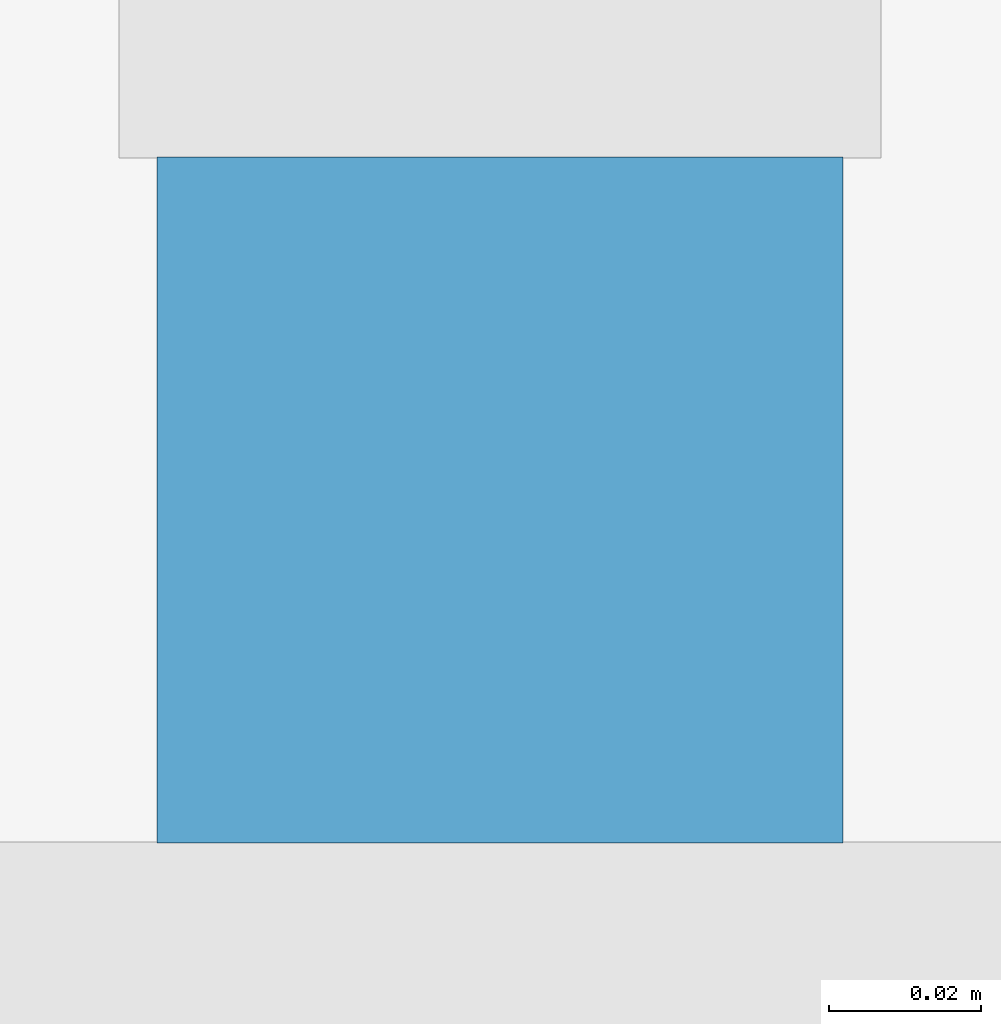
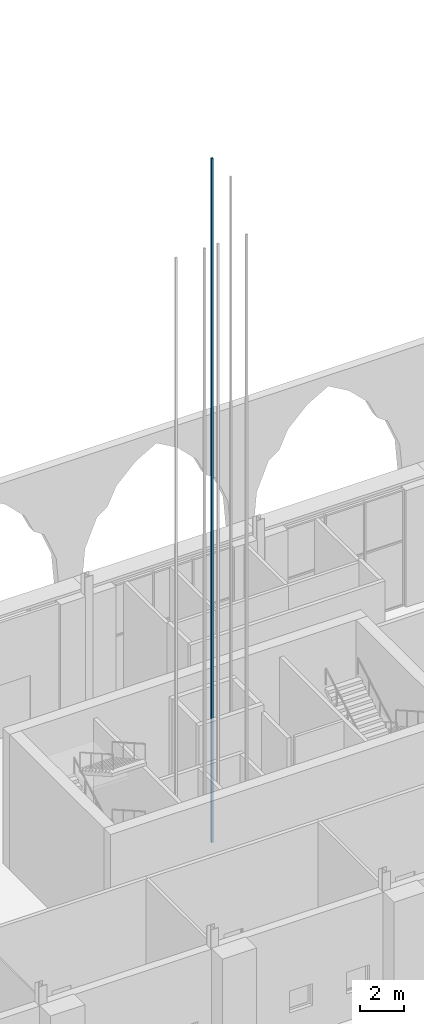
# One storey, part 159 of 250: 1 discrete accessory.
"""IFC4 building model written with IfcOpenShell, lengths in metres."""

from ifc_helpers import new_model, si_unit, direction, frame, origin, origin_2d, place, context, subcontext, project, spatial, rectangle, extrude, material, type_object, element, save


model = new_model("IFC4")

# Units and contexts
model_context = context("Model", 3, precision=1e-05, world=origin(), true_north=direction((0.0, 1.0)))
body_context = subcontext(model_context, "Body", "Model", "MODEL_VIEW")
ifc_project = project(units=[si_unit("LENGTHUNIT", "METRE"), si_unit("AREAUNIT", "SQUARE_METRE"), si_unit("VOLUMEUNIT", "CUBIC_METRE"), si_unit("PLANEANGLEUNIT", "RADIAN"), si_unit("MASSUNIT", "GRAM", prefix="KILO")], contexts=[model_context])

# Site, building, storey
site_placement = place(None, origin())
site = spatial("IfcSite", under=ifc_project, at=site_placement, CompositionType="ELEMENT")
building_placement = place(site_placement, origin())
building = spatial("IfcBuilding", under=site, at=building_placement, Name="Baradari Gate Terminus", CompositionType="ELEMENT")
storey_placement = place(building_placement, origin())
storey = spatial("IfcBuildingStorey", under=building, at=storey_placement, Name="L00", CompositionType="ELEMENT", Elevation=0.0)

# Discrete accessory
ifc_material = material(Name="Steel S355", Category="steel")
discrete_accessory_type = type_object("IfcDiscreteAccessoryType", Name="Lift guide rail GR-L1 90x90", PredefinedType="BRACKET", material=ifc_material)
discrete_accessory_placement = place(storey_placement, frame((36.824951171875, 134.070068359375, -1.599853515625), z_axis=(0.0, 0.0, 1.0), x_axis=(1.0, 0.0, 0.0)))
element("IfcDiscreteAccessory", 1, at=discrete_accessory_placement, inside=storey, type_object=discrete_accessory_type, Name="Lift guide rail LT3 2", PredefinedType="BRACKET", context=body_context, shape_type="SweptSolid", body=[
    extrude(rectangle(XDim=0.090087890625, YDim=0.090087890625, at=origin_2d()), origin(), (0.0, 0.0, 1.0), 37.89990234375),
])

save(model, "model.ifc")
